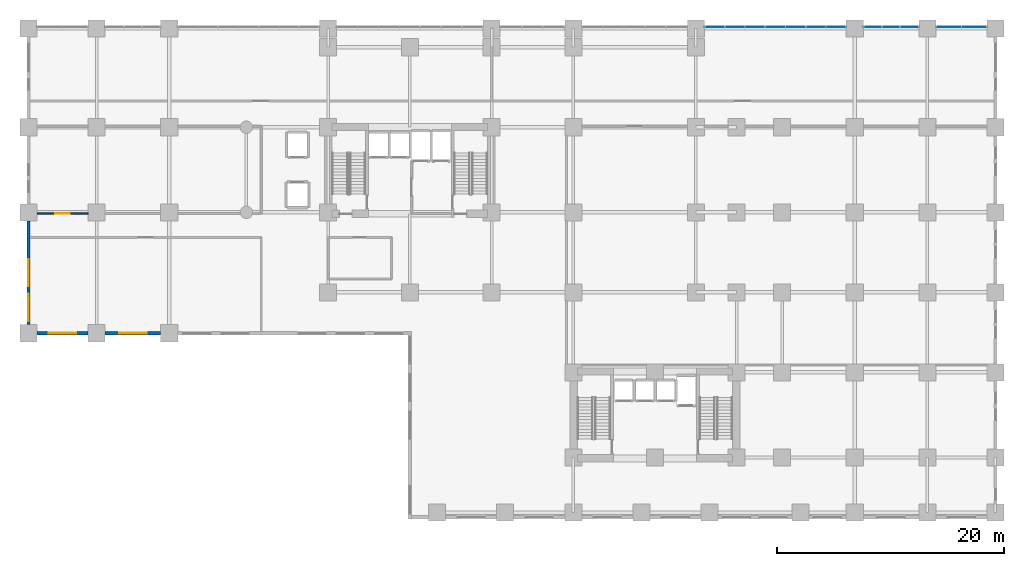
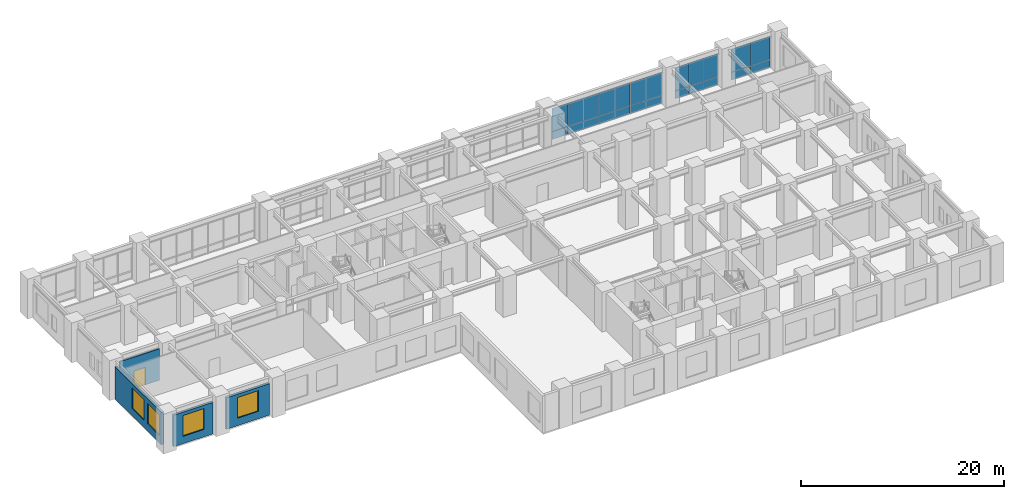
# One storey, part 14 of 22: 18 plates, 4 walls, 4 windows, 1 door, 5 openings, 3 elements without a shape of their own.
"""IFC4 building model written with IfcOpenShell, lengths in metres."""

from ifc_helpers import new_model, si_unit, direction, frame, frame_2d, origin, origin_2d, place, context, subcontext, project, spatial, rectangle, extrude, source, transform, mapped, material, layer, layer_set, type_object, element, fill, aggregate, save


model = new_model("IFC4")

# Units and contexts
model_context = context("Model", 3, precision=1e-05, world=origin(), true_north=direction((0.0, 1.0)))
body_context = subcontext(model_context, "Body", "Model", "MODEL_VIEW")
ifc_project = project(units=[si_unit("LENGTHUNIT", "METRE"), si_unit("AREAUNIT", "SQUARE_METRE"), si_unit("VOLUMEUNIT", "CUBIC_METRE"), si_unit("PLANEANGLEUNIT", "RADIAN"), si_unit("MASSUNIT", "GRAM", prefix="KILO")], contexts=[model_context])

# Site, building, storey
site_placement = place(None, origin())
site = spatial("IfcSite", under=ifc_project, at=site_placement, CompositionType="ELEMENT")
building_placement = place(site_placement, origin())
building = spatial("IfcBuilding", under=site, at=building_placement, Name="Kaliganga Portal Commons", CompositionType="ELEMENT")
storey_placement = place(building_placement, frame((0.0, 0.0, 10.199951171875)))
storey = spatial("IfcBuildingStorey", under=building, at=storey_placement, Name="L02", CompositionType="ELEMENT", Elevation=10.199951171875)

# Curtain wall, plates
ifc_material_1 = material(Name="Anodized Aluminium and Laminated Low-E Glass", Category="aluminium")
ifc_layer_1 = layer(ifc_material_1, 0.219970703125)
ifc_layer_set_1 = layer_set([ifc_layer_1], Name="Anodized Aluminium and Laminated Low-E Glass")
curtain_wall_type = type_object("IfcCurtainWallType", Name="CW-SYS-01", PredefinedType="NOTDEFINED", material=ifc_layer_set_1)
curtain_wall_1_placement = place(storey_placement, origin())
curtain_wall_1 = element("IfcCurtainWall", 1, at=curtain_wall_1_placement, inside=storey, type_object=curtain_wall_type, Name="CW 01 L02 P1E02S1", PredefinedType="NOTDEFINED")
ifc_material_2 = material(Name="Insulated Dark Spandrel Panel", Category="metal")
ifc_layer_2 = layer(ifc_material_2, 0.044921875)
ifc_layer_set_2 = layer_set([ifc_layer_2], Name="Insulated Dark Spandrel Panel")
plate_type_1 = type_object("IfcPlateType", Name="PLT-SPN-45", PredefinedType="SHEET", material=ifc_layer_set_2)
shared_shape_1 = source(origin(), body_context, "Body", "SweptSolid", [
    extrude(rectangle(XDim=2.208984375, YDim=0.044921875, at=origin_2d()), origin(), (0.0, 0.0, 1.0), 0.929931640625),
])
plate_1_placement = place(storey_placement, frame((71.324462890625, 45.0, 0.01025390625), z_axis=(0.0, 0.0, 1.0), x_axis=(-1.0, 0.0, 0.0)))
plate_1 = element("IfcPlate", 2, at=plate_1_placement, type_object=plate_type_1, Name="CW:01:L02:P1E02S1 Spandrel 00", PredefinedType="SHEET", context=body_context, shape_type="MappedRepresentation", body=[
    mapped(shared_shape_1, transform((0.0, 0.0, 0.0), x_axis=(1.0, 0.0, 0.0), y_axis=(0.0, 1.0, 0.0), z_axis=(0.0, 0.0, 1.0), scale=1.0)),
])
plate_2_placement = place(storey_placement, frame((69.075439453125, 45.0, 0.01025390625), z_axis=(0.0, 0.0, 1.0), x_axis=(-1.0, 0.0, 0.0)))
plate_2 = element("IfcPlate", 3, at=plate_2_placement, type_object=plate_type_1, Name="CW:01:L02:P1E02S1 Spandrel 01", PredefinedType="SHEET", context=body_context, shape_type="MappedRepresentation", body=[
    mapped(shared_shape_1, transform((0.0, 0.0, 0.0), x_axis=(1.0, 0.0, 0.0), y_axis=(0.0, 1.0, 0.0), z_axis=(0.0, 0.0, 1.0), scale=1.0)),
])

curtain_wall_2_placement = place(storey_placement, origin())
curtain_wall_2 = element("IfcCurtainWall", 4, at=curtain_wall_2_placement, inside=storey, type_object=curtain_wall_type, Name="CW 01 L02 P1E02S2", PredefinedType="NOTDEFINED")
shared_shape_2 = source(origin(), body_context, "Body", "SweptSolid", [
    extrude(rectangle(XDim=1.5927734375, YDim=0.044921875, at=origin_2d()), origin(), (0.0, 0.0, 1.0), 0.929931640625),
])
plate_3_placement = place(storey_placement, frame((65.6328125, 45.0, 0.01025390625), z_axis=(0.0, 0.0, 1.0), x_axis=(-1.0, 0.0, 0.0)))
plate_3 = element("IfcPlate", 5, at=plate_3_placement, type_object=plate_type_1, Name="CW:01:L02:P1E02S2 Spandrel 00", PredefinedType="SHEET", context=body_context, shape_type="MappedRepresentation", body=[
    mapped(shared_shape_2, transform((0.0, 0.0, 0.0), x_axis=(1.0, 0.0, 0.0), y_axis=(0.0, 1.0, 0.0), z_axis=(0.0, 0.0, 1.0), scale=1.0)),
])
plate_4_placement = place(storey_placement, frame((64.0, 45.0, 0.01025390625), z_axis=(0.0, 0.0, 1.0), x_axis=(-1.0, 0.0, 0.0)))
plate_4 = element("IfcPlate", 6, at=plate_4_placement, type_object=plate_type_1, Name="CW:01:L02:P1E02S2 Spandrel 01", PredefinedType="SHEET", context=body_context, shape_type="MappedRepresentation", body=[
    mapped(shared_shape_2, transform((0.0, 0.0, 0.0), x_axis=(1.0, 0.0, 0.0), y_axis=(0.0, 1.0, 0.0), z_axis=(0.0, 0.0, 1.0), scale=1.0)),
])
plate_5_placement = place(storey_placement, frame((62.3671875, 45.0, 0.01025390625), z_axis=(0.0, 0.0, 1.0), x_axis=(-1.0, 0.0, 0.0)))
plate_5 = element("IfcPlate", 7, at=plate_5_placement, type_object=plate_type_1, Name="CW:01:L02:P1E02S2 Spandrel 02", PredefinedType="SHEET", context=body_context, shape_type="MappedRepresentation", body=[
    mapped(shared_shape_2, transform((0.0, 0.0, 0.0), x_axis=(1.0, 0.0, 0.0), y_axis=(0.0, 1.0, 0.0), z_axis=(0.0, 0.0, 1.0), scale=1.0)),
])

curtain_wall_3_placement = place(storey_placement, origin())
curtain_wall_3 = element("IfcCurtainWall", 8, at=curtain_wall_3_placement, inside=storey, type_object=curtain_wall_type, Name="CW 01 L02 P1E02S3", PredefinedType="NOTDEFINED")
shared_shape_3 = source(origin(), body_context, "Body", "SweptSolid", [
    extrude(rectangle(XDim=3.531005859375, YDim=0.044921875, at=origin_2d()), origin(), (0.0, 0.0, 1.0), 0.929931640625),
])
plate_6_placement = place(storey_placement, frame((58.263671875, 45.0, 0.01025390625), z_axis=(0.0, 0.0, 1.0), x_axis=(-1.0, 0.0, 0.0)))
plate_6 = element("IfcPlate", 9, at=plate_6_placement, type_object=plate_type_1, Name="CW:01:L02:P1E02S3 Spandrel 00", PredefinedType="SHEET", context=body_context, shape_type="MappedRepresentation", body=[
    mapped(shared_shape_3, transform((0.0, 0.0, 0.0), x_axis=(1.0, 0.0, 0.0), y_axis=(0.0, 1.0, 0.0), z_axis=(0.0, 0.0, 1.0), scale=1.0)),
])
plate_7_placement = place(storey_placement, frame((54.692626953125, 45.0, 0.01025390625), z_axis=(0.0, 0.0, 1.0), x_axis=(-1.0, 0.0, 0.0)))
plate_7 = element("IfcPlate", 10, at=plate_7_placement, type_object=plate_type_1, Name="CW:01:L02:P1E02S3 Spandrel 02", PredefinedType="SHEET", context=body_context, shape_type="MappedRepresentation", body=[
    mapped(shared_shape_3, transform((0.0, 0.0, 0.0), x_axis=(1.0, 0.0, 0.0), y_axis=(0.0, 1.0, 0.0), z_axis=(0.0, 0.0, 1.0), scale=1.0)),
])
plate_8_placement = place(storey_placement, frame((51.121826171875, 45.0, 0.01025390625), z_axis=(0.0, 0.0, 1.0), x_axis=(-1.0, 0.0, 0.0)))
plate_8 = element("IfcPlate", 11, at=plate_8_placement, type_object=plate_type_1, Name="CW:01:L02:P1E02S3 Spandrel 04", PredefinedType="SHEET", context=body_context, shape_type="MappedRepresentation", body=[
    mapped(shared_shape_3, transform((0.0, 0.0, 0.0), x_axis=(1.0, 0.0, 0.0), y_axis=(0.0, 1.0, 0.0), z_axis=(0.0, 0.0, 1.0), scale=1.0)),
])
shared_shape_4 = source(origin(), body_context, "Body", "SweptSolid", [
    extrude(rectangle(XDim=1.745361328125, YDim=0.044921875, at=origin_2d()), origin(), (0.0, 0.0, 1.0), 0.929931640625),
])
plate_9_placement = place(storey_placement, frame((48.443603515625, 45.0, 0.01025390625), z_axis=(0.0, 0.0, 1.0), x_axis=(-1.0, 0.0, 0.0)))
plate_9 = element("IfcPlate", 12, at=plate_9_placement, type_object=plate_type_1, Name="CW:01:L02:P1E02S3 Spandrel 06", PredefinedType="SHEET", context=body_context, shape_type="MappedRepresentation", body=[
    mapped(shared_shape_4, transform((0.0, 0.0, 0.0), x_axis=(1.0, 0.0, 0.0), y_axis=(0.0, 1.0, 0.0), z_axis=(0.0, 0.0, 1.0), scale=1.0)),
])

# Plate
ifc_material_3 = material(Name="Dark Solar-Control Laminated Low-E IGU", Category="glass")
ifc_layer_3 = layer(ifc_material_3, 0.028076171875)
ifc_layer_set_3 = layer_set([ifc_layer_3], Name="Dark Solar-Control Laminated Low-E IGU")
plate_type_2 = type_object("IfcPlateType", Name="PLT-GLZ-28", PredefinedType="CURTAIN_PANEL", material=ifc_layer_set_3)
shared_shape_5 = source(origin(), body_context, "Body", "SweptSolid", [
    extrude(rectangle(XDim=2.208984375, YDim=0.028076171875, at=origin_2d()), origin(), (0.0, 0.0, 1.0), 2.77001953125),
])
plate_10_placement = place(storey_placement, frame((71.324462890625, 45.0, 0.9599609375), z_axis=(0.0, 0.0, 1.0), x_axis=(-1.0, 0.0, 0.0)))
plate_10 = element("IfcPlate", 13, at=plate_10_placement, type_object=plate_type_2, Name="CW:01:L02:P1E02S1 Vision IGU 00", PredefinedType="CURTAIN_PANEL", context=body_context, shape_type="MappedRepresentation", body=[
    mapped(shared_shape_5, transform((0.0, 0.0, 0.0), x_axis=(1.0, 0.0, 0.0), y_axis=(0.0, 1.0, 0.0), z_axis=(0.0, 0.0, 1.0), scale=1.0)),
])

plate_11_placement = place(storey_placement, frame((69.075439453125, 45.0, 0.9599609375), z_axis=(0.0, 0.0, 1.0), x_axis=(-1.0, 0.0, 0.0)))
plate_11 = element("IfcPlate", 14, at=plate_11_placement, type_object=plate_type_2, Name="CW:01:L02:P1E02S1 Vision IGU 01", PredefinedType="CURTAIN_PANEL", context=body_context, shape_type="MappedRepresentation", body=[
    mapped(shared_shape_5, transform((0.0, 0.0, 0.0), x_axis=(1.0, 0.0, 0.0), y_axis=(0.0, 1.0, 0.0), z_axis=(0.0, 0.0, 1.0), scale=1.0)),
])

aggregate(curtain_wall_1, [plate_1, plate_10, plate_2, plate_11])

shared_shape_6 = source(origin(), body_context, "Body", "SweptSolid", [
    extrude(rectangle(XDim=1.5927734375, YDim=0.028076171875, at=origin_2d()), origin(), (0.0, 0.0, 1.0), 2.77001953125),
])
plate_12_placement = place(storey_placement, frame((65.6328125, 45.0, 0.9599609375), z_axis=(0.0, 0.0, 1.0), x_axis=(-1.0, 0.0, 0.0)))
plate_12 = element("IfcPlate", 15, at=plate_12_placement, type_object=plate_type_2, Name="CW:01:L02:P1E02S2 Vision IGU 00", PredefinedType="CURTAIN_PANEL", context=body_context, shape_type="MappedRepresentation", body=[
    mapped(shared_shape_6, transform((0.0, 0.0, 0.0), x_axis=(1.0, 0.0, 0.0), y_axis=(0.0, 1.0, 0.0), z_axis=(0.0, 0.0, 1.0), scale=1.0)),
])

plate_13_placement = place(storey_placement, frame((64.0, 45.0, 0.9599609375), z_axis=(0.0, 0.0, 1.0), x_axis=(-1.0, 0.0, 0.0)))
plate_13 = element("IfcPlate", 16, at=plate_13_placement, type_object=plate_type_2, Name="CW:01:L02:P1E02S2 Vision IGU 01", PredefinedType="CURTAIN_PANEL", context=body_context, shape_type="MappedRepresentation", body=[
    mapped(shared_shape_6, transform((0.0, 0.0, 0.0), x_axis=(1.0, 0.0, 0.0), y_axis=(0.0, 1.0, 0.0), z_axis=(0.0, 0.0, 1.0), scale=1.0)),
])

plate_14_placement = place(storey_placement, frame((62.3671875, 45.0, 0.9599609375), z_axis=(0.0, 0.0, 1.0), x_axis=(-1.0, 0.0, 0.0)))
plate_14 = element("IfcPlate", 17, at=plate_14_placement, type_object=plate_type_2, Name="CW:01:L02:P1E02S2 Vision IGU 02", PredefinedType="CURTAIN_PANEL", context=body_context, shape_type="MappedRepresentation", body=[
    mapped(shared_shape_6, transform((0.0, 0.0, 0.0), x_axis=(1.0, 0.0, 0.0), y_axis=(0.0, 1.0, 0.0), z_axis=(0.0, 0.0, 1.0), scale=1.0)),
])

aggregate(curtain_wall_2, [plate_3, plate_12, plate_4, plate_13, plate_5, plate_14])

shared_shape_7 = source(origin(), body_context, "Body", "SweptSolid", [
    extrude(rectangle(XDim=3.531005859375, YDim=0.028076171875, at=origin_2d()), origin(), (0.0, 0.0, 1.0), 2.77001953125),
])
plate_15_placement = place(storey_placement, frame((58.263671875, 45.0, 0.9599609375), z_axis=(0.0, 0.0, 1.0), x_axis=(-1.0, 0.0, 0.0)))
plate_15 = element("IfcPlate", 18, at=plate_15_placement, type_object=plate_type_2, Name="CW:01:L02:P1E02S3 Vision IGU 00", PredefinedType="CURTAIN_PANEL", context=body_context, shape_type="MappedRepresentation", body=[
    mapped(shared_shape_7, transform((0.0, 0.0, 0.0), x_axis=(1.0, 0.0, 0.0), y_axis=(0.0, 1.0, 0.0), z_axis=(0.0, 0.0, 1.0), scale=1.0)),
])

plate_16_placement = place(storey_placement, frame((54.692626953125, 45.0, 0.9599609375), z_axis=(0.0, 0.0, 1.0), x_axis=(-1.0, 0.0, 0.0)))
plate_16 = element("IfcPlate", 19, at=plate_16_placement, type_object=plate_type_2, Name="CW:01:L02:P1E02S3 Vision IGU 02", PredefinedType="CURTAIN_PANEL", context=body_context, shape_type="MappedRepresentation", body=[
    mapped(shared_shape_7, transform((0.0, 0.0, 0.0), x_axis=(1.0, 0.0, 0.0), y_axis=(0.0, 1.0, 0.0), z_axis=(0.0, 0.0, 1.0), scale=1.0)),
])

plate_17_placement = place(storey_placement, frame((51.121826171875, 45.0, 0.9599609375), z_axis=(0.0, 0.0, 1.0), x_axis=(-1.0, 0.0, 0.0)))
plate_17 = element("IfcPlate", 20, at=plate_17_placement, type_object=plate_type_2, Name="CW:01:L02:P1E02S3 Vision IGU 04", PredefinedType="CURTAIN_PANEL", context=body_context, shape_type="MappedRepresentation", body=[
    mapped(shared_shape_7, transform((0.0, 0.0, 0.0), x_axis=(1.0, 0.0, 0.0), y_axis=(0.0, 1.0, 0.0), z_axis=(0.0, 0.0, 1.0), scale=1.0)),
])

shared_shape_8 = source(origin(), body_context, "Body", "SweptSolid", [
    extrude(rectangle(XDim=1.745361328125, YDim=0.028076171875, at=origin_2d()), origin(), (0.0, 0.0, 1.0), 2.77001953125),
])
plate_18_placement = place(storey_placement, frame((48.443603515625, 45.0, 0.9599609375), z_axis=(0.0, 0.0, 1.0), x_axis=(-1.0, 0.0, 0.0)))
plate_18 = element("IfcPlate", 21, at=plate_18_placement, type_object=plate_type_2, Name="CW:01:L02:P1E02S3 Vision IGU 06", PredefinedType="CURTAIN_PANEL", context=body_context, shape_type="MappedRepresentation", body=[
    mapped(shared_shape_8, transform((0.0, 0.0, 0.0), x_axis=(1.0, 0.0, 0.0), y_axis=(0.0, 1.0, 0.0), z_axis=(0.0, 0.0, 1.0), scale=1.0)),
])

aggregate(curtain_wall_3, [plate_6, plate_15, plate_7, plate_16, plate_8, plate_17, plate_9, plate_18])

# Wall, openings, windows
ifc_material_4 = material(Name="Precast concrete C40/50", Category="concrete")
ifc_layer_4 = layer(ifc_material_4, 0.300048828125)
ifc_layer_set_4 = layer_set([ifc_layer_4], Name="Precast concrete C40/50")
wall_type_1 = type_object("IfcWallType", Name="WL-EXT-POD-300", PredefinedType="STANDARD", material=ifc_layer_set_4)
wall_1_placement = place(storey_placement, frame((-12.0, 18.7509765625, 0.0), z_axis=(0.0, 0.0, 1.0), x_axis=(0.0, 1.0, 0.0)))
wall_1 = element("IfcWall", 22, at=wall_1_placement, inside=storey, type_object=wall_type_1, Name="Exterior Envelope Wall L02 P1-E03-S3", PredefinedType="STANDARD", context=body_context, shape_type="SweptSolid", body=[
    extrude(rectangle(XDim=9.14794921875, YDim=0.300048828125, at=frame_2d((4.573974609375, 0.0))), origin(), (0.0, 0.0, 1.0), 3.900146484375),
])
opening_1_placement = place(wall_1_placement, frame((0.32470703125, 0.0, 0.89990234375)))
opening_1 = element("IfcOpeningElement", 23, at=opening_1_placement, cuts=wall_1, Name="Opening W-05", PredefinedType="OPENING", context=body_context, shape_type="SweptSolid", body=[
    extrude(rectangle(XDim=2.39990234375, YDim=2.5, at=frame_2d((1.199951171875, 1.25))), frame((0.0, 0.16015625, 0.0), z_axis=(0.0, -1.0, 0.0), x_axis=(1.0, 0.0, 0.0)), (0.0, 0.0, 1.0), 0.320068359375),
])
opening_2_placement = place(wall_1_placement, frame((3.3740234375, 0.0, 0.89990234375)))
opening_2 = element("IfcOpeningElement", 24, at=opening_2_placement, cuts=wall_1, Name="Opening W-05", PredefinedType="OPENING", context=body_context, shape_type="SweptSolid", body=[
    extrude(rectangle(XDim=2.39990234375, YDim=2.5, at=frame_2d((1.199951171875, 1.25))), frame((0.0, 0.16015625, 0.0), z_axis=(0.0, -1.0, 0.0), x_axis=(1.0, 0.0, 0.0)), (0.0, 0.0, 1.0), 0.320068359375),
])
ifc_material_5 = material(Name="Thermally Broken Aluminium and Low-E Double Glazing", Category="aluminium")
window_type = type_object("IfcWindowType", Name="WIN-POD-2400", PartitioningType="TRIPLE_PANEL_VERTICAL", PredefinedType="WINDOW", material=ifc_material_5)
window_1_placement = place(opening_1_placement, origin())
window_1 = element("IfcWindow", 25, at=window_1_placement, inside=storey, type_object=window_type, Name="Facade Window L02-P1E03S3-00", OverallHeight=2.5, OverallWidth=2.39990234375, PartitioningType="SINGLE_PANEL", PredefinedType="WINDOW", context=body_context, shape_type="SweptSolid", body=[
    extrude(rectangle(XDim=2.39990234375, YDim=2.5, at=frame_2d((1.199951171875, 1.25))), frame((0.0, 0.030029296875, 0.0), z_axis=(0.0, -1.0, 0.0), x_axis=(1.0, 0.0, 0.0)), (0.0, 0.0, 1.0), 0.06005859375),
])
fill(opening_1, window_1)
window_2_placement = place(opening_2_placement, origin())
window_2 = element("IfcWindow", 26, at=window_2_placement, inside=storey, type_object=window_type, Name="Facade Window L02-P1E03S3-01", OverallHeight=2.5, OverallWidth=2.39990234375, PartitioningType="SINGLE_PANEL", PredefinedType="WINDOW", context=body_context, shape_type="SweptSolid", body=[
    extrude(rectangle(XDim=2.39990234375, YDim=2.5, at=frame_2d((1.199951171875, 1.25))), frame((0.0, 0.030029296875, 0.0), z_axis=(0.0, -1.0, 0.0), x_axis=(1.0, 0.0, 0.0)), (0.0, 0.0, 1.0), 0.06005859375),
])
fill(opening_2, window_2)

# Wall, opening, window
wall_2_placement = place(storey_placement, frame((-6.7509765625, 18.0, 0.0), z_axis=(0.0, 0.0, 1.0), x_axis=(-1.0, 0.0, 0.0)))
wall_2 = element("IfcWall", 27, at=wall_2_placement, inside=storey, type_object=wall_type_1, Name="Exterior Envelope Wall L02 P1-E04-S1", PredefinedType="STANDARD", context=body_context, shape_type="SweptSolid", body=[
    extrude(rectangle(XDim=4.498046875, YDim=0.300048828125, at=frame_2d((2.2490234375, 0.0))), origin(), (0.0, 0.0, 1.0), 3.800048828125),
])
opening_3_placement = place(wall_2_placement, frame((1.049072265625, 0.0, 0.89990234375)))
opening_3 = element("IfcOpeningElement", 28, at=opening_3_placement, cuts=wall_2, Name="Opening W-05", PredefinedType="OPENING", context=body_context, shape_type="SweptSolid", body=[
    extrude(rectangle(XDim=2.39990234375, YDim=2.5, at=frame_2d((1.199951171875, 1.25))), frame((0.0, 0.16015625, 0.0), z_axis=(0.0, -1.0, 0.0), x_axis=(1.0, 0.0, 0.0)), (0.0, 0.0, 1.0), 0.320068359375),
])
window_3_placement = place(opening_3_placement, origin())
window_3 = element("IfcWindow", 29, at=window_3_placement, inside=storey, type_object=window_type, Name="Facade Window L02-P1E04S1-00", OverallHeight=2.5, OverallWidth=2.39990234375, PartitioningType="SINGLE_PANEL", PredefinedType="WINDOW", context=body_context, shape_type="SweptSolid", body=[
    extrude(rectangle(XDim=2.39990234375, YDim=2.5, at=frame_2d((1.199951171875, 1.25))), frame((0.0, 0.030029296875, 0.0), z_axis=(0.0, -1.0, 0.0), x_axis=(1.0, 0.0, 0.0)), (0.0, 0.0, 1.0), 0.06005859375),
])
fill(opening_3, window_3)

wall_3_placement = place(storey_placement, frame((-0.35107421875, 18.0, 0.0), z_axis=(0.0, 0.0, 1.0), x_axis=(-1.0, 0.0, 0.0)))
wall_3 = element("IfcWall", 30, at=wall_3_placement, inside=storey, type_object=wall_type_1, Name="Exterior Envelope Wall L02 P1-E04-S2", PredefinedType="STANDARD", context=body_context, shape_type="SweptSolid", body=[
    extrude(rectangle(XDim=4.89794921875, YDim=0.300048828125, at=frame_2d((2.448974609375, 0.0))), origin(), (0.0, 0.0, 1.0), 3.800048828125),
])
opening_4_placement = place(wall_3_placement, frame((1.2490234375, 0.0, 0.89990234375)))
opening_4 = element("IfcOpeningElement", 31, at=opening_4_placement, cuts=wall_3, Name="Opening W-05", PredefinedType="OPENING", context=body_context, shape_type="SweptSolid", body=[
    extrude(rectangle(XDim=2.39990234375, YDim=2.5, at=frame_2d((1.199951171875, 1.25))), frame((0.0, 0.16015625, 0.0), z_axis=(0.0, -1.0, 0.0), x_axis=(1.0, 0.0, 0.0)), (0.0, 0.0, 1.0), 0.320068359375),
])
window_4_placement = place(opening_4_placement, origin())
window_4 = element("IfcWindow", 32, at=window_4_placement, inside=storey, type_object=window_type, Name="Facade Window L02-P1E04S2-00", OverallHeight=2.5, OverallWidth=2.39990234375, PartitioningType="SINGLE_PANEL", PredefinedType="WINDOW", context=body_context, shape_type="SweptSolid", body=[
    extrude(rectangle(XDim=2.39990234375, YDim=2.5, at=frame_2d((1.199951171875, 1.25))), frame((0.0, 0.030029296875, 0.0), z_axis=(0.0, -1.0, 0.0), x_axis=(1.0, 0.0, 0.0)), (0.0, 0.0, 1.0), 0.06005859375),
])
fill(opening_4, window_4)

# Wall, opening, door
ifc_material_6 = material(Name="Fire-Rated Gypsum Board on Steel Stud", Category="steel")
ifc_layer_5 = layer(ifc_material_6, 0.14990234375)
ifc_layer_set_5 = layer_set([ifc_layer_5], Name="Fire-Rated Gypsum Board on Steel Stud")
wall_type_2 = type_object("IfcWallType", Name="WL-PART-CORR-150", PredefinedType="PARTITIONING", material=ifc_layer_set_5)
wall_4_placement = place(storey_placement, frame((-11.25, 28.56005859375, 0.0), z_axis=(0.0, 0.0, 1.0), x_axis=(1.0, 0.0, 0.0)))
wall_4 = element("IfcWall", 33, at=wall_4_placement, inside=storey, type_object=wall_type_2, Name="Interior Partition L02-013", PredefinedType="PARTITIONING", context=body_context, shape_type="SweptSolid", body=[
    extrude(rectangle(XDim=4.5, YDim=0.14990234375, at=frame_2d((2.25, 0.0))), origin(), (0.0, 0.0, 1.0), 3.800048828125),
])
opening_5_placement = place(wall_4_placement, frame((1.60009765625, 0.0, 0.0)))
opening_5 = element("IfcOpeningElement", 34, at=opening_5_placement, cuts=wall_4, Name="Opening RD-03", PredefinedType="OPENING", context=body_context, shape_type="SweptSolid", body=[
    extrude(rectangle(XDim=1.300048828125, YDim=2.1201171875, at=frame_2d((0.64990234375, 1.06005859375))), frame((0.0, 0.0849609375, 0.0), z_axis=(0.0, -1.0, 0.0), x_axis=(1.0, 0.0, 0.0)), (0.0, 0.0, 1.0), 0.169921875),
])
ifc_material_7 = material(Name="Glazed Timber Seminar Vision Door", Category="wood")
door_type = type_object("IfcDoorType", Name="DR-STUDY-1300", OperationType="DOUBLE_DOOR_SINGLE_SWING", PredefinedType="DOOR", material=ifc_material_7)
door_placement = place(opening_5_placement, origin())
door = element("IfcDoor", 35, at=door_placement, inside=storey, type_object=door_type, Name="Interior Door L02-ARCHIVE_W", OperationType="DOUBLE_DOOR_SINGLE_SWING", OverallHeight=2.1201171875, OverallWidth=1.300048828125, PredefinedType="DOOR", context=body_context, shape_type="SweptSolid", body=[
    extrude(rectangle(XDim=1.300048828125, YDim=2.1201171875, at=frame_2d((0.64990234375, 1.06005859375))), frame((0.0, 0.02490234375, 0.0), z_axis=(0.0, -1.0, 0.0), x_axis=(1.0, 0.0, 0.0)), (0.0, 0.0, 1.0), 0.050048828125),
])
fill(opening_5, door)

save(model, "model.ifc")
